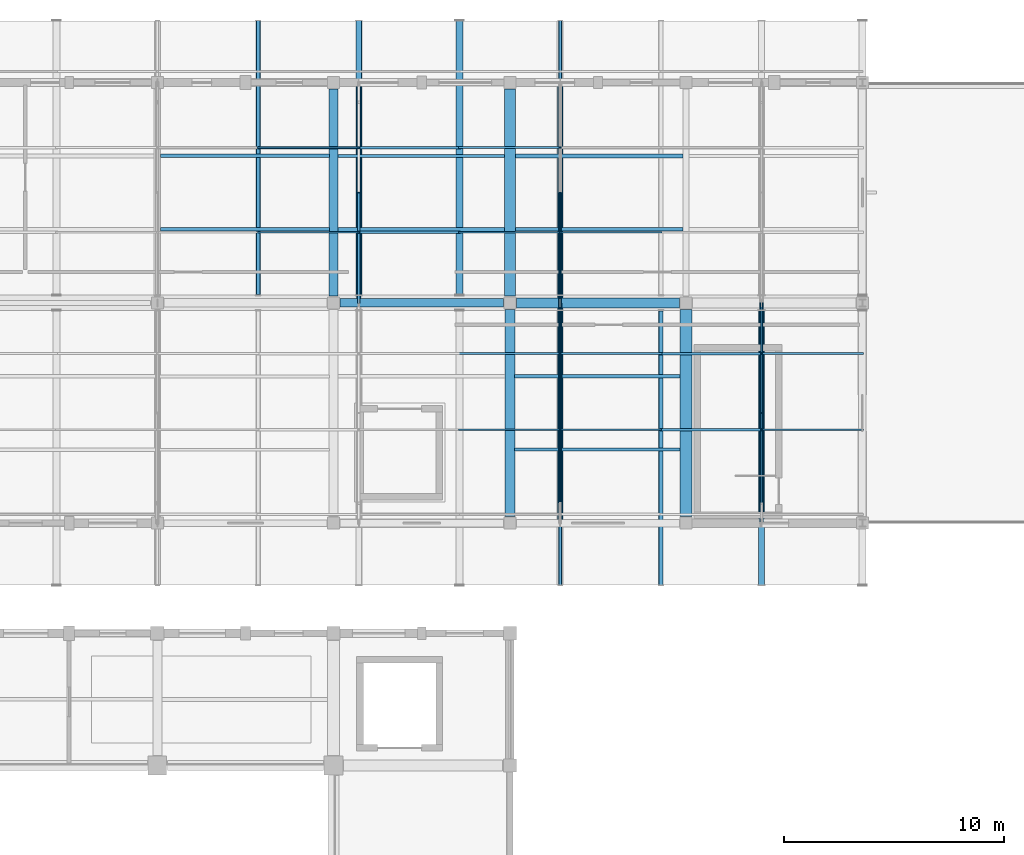
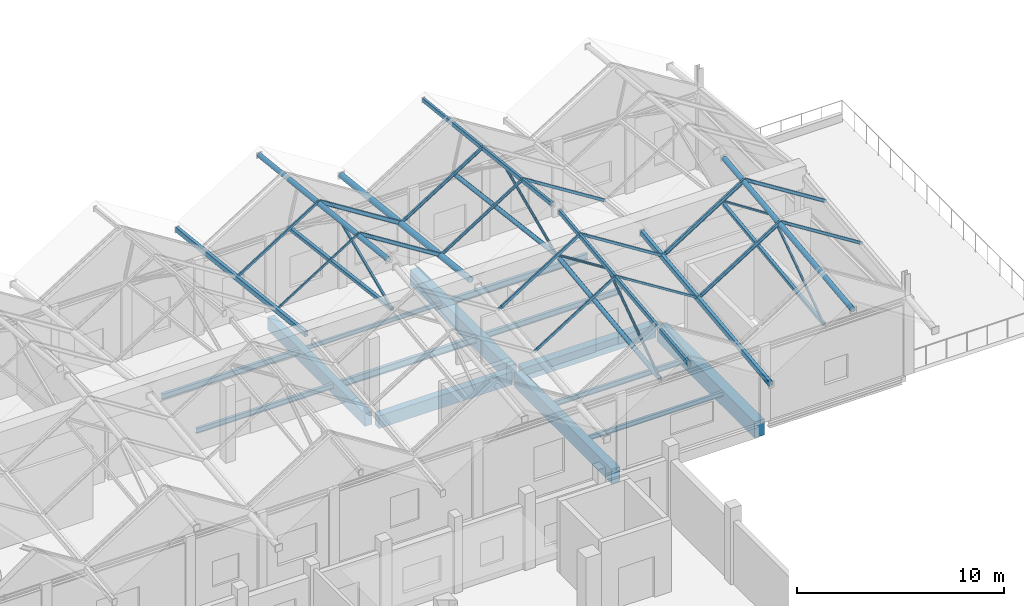
# One storey, part 66 of 183: 25 members, 21 beams.
"""IFC4 building model written with IfcOpenShell, lengths in metres."""

from ifc_helpers import new_model, si_unit, direction, frame, origin, origin_2d, place, context, subcontext, project, spatial, rectangle, hollow_rectangle, hollow_circle, i_section, extrude, material, material_profile, profile_set, type_object, element, save


model = new_model("IFC4")

# Units and contexts
model_context = context("Model", 3, precision=1e-05, world=origin(), true_north=direction((0.0, 1.0)))
body_context = subcontext(model_context, "Body", "Model", "MODEL_VIEW")
ifc_project = project(units=[si_unit("LENGTHUNIT", "METRE"), si_unit("AREAUNIT", "SQUARE_METRE"), si_unit("VOLUMEUNIT", "CUBIC_METRE"), si_unit("PLANEANGLEUNIT", "RADIAN"), si_unit("MASSUNIT", "GRAM", prefix="KILO")], contexts=[model_context])

# Site, building, storey
site_placement = place(None, origin())
site = spatial("IfcSite", under=ifc_project, at=site_placement, CompositionType="ELEMENT")
building_placement = place(site_placement, origin())
building = spatial("IfcBuilding", under=site, at=building_placement, Name="Luwemba Playhouse", CompositionType="ELEMENT")
storey_placement = place(building_placement, frame((0.0, 0.0, 4.800048828125)))
storey = spatial("IfcBuildingStorey", under=building, at=storey_placement, Name="L01", CompositionType="ELEMENT", Elevation=4.800048828125)

# Beams
ifc_material_1 = material(Name="Concrete C40/50", Category="concrete")
ifc_material_profile_1 = material_profile(ifc_material_1, rectangle(XDim=0.39990234375, YDim=0.75, at=origin_2d()))
ifc_profile_set_1 = profile_set([ifc_material_profile_1], Name="Concrete C40/50")
beam_type_1 = type_object("IfcBeamType", Name="BM-RB03", PredefinedType="BEAM", material=ifc_profile_set_1)
beam_1_placement = place(storey_placement, frame((44.300048828125, 105.0, -0.625), z_axis=(1.0, 0.0, 0.0), x_axis=(0.0, 1.0, 0.0)))
element("IfcBeam", 1, at=beam_1_placement, inside=storey, type_object=beam_type_1, Name="L01 grid girder 0575", PredefinedType="BEAM", context=body_context, shape_type="SweptSolid", body=[
    extrude(rectangle(XDim=0.39990234375, YDim=0.75, at=origin_2d()), origin(), (0.0, 0.0, 1.0), 7.39990234375),
])
beam_2_placement = place(storey_placement, frame((44.0, 105.300048828125, -0.625), z_axis=(0.0, 1.0, 0.0), x_axis=(-1.0, 0.0, 0.0)))
element("IfcBeam", 2, at=beam_2_placement, inside=storey, type_object=beam_type_1, Name="L01 transverse girder 0595", PredefinedType="BEAM", context=body_context, shape_type="SweptSolid", body=[
    extrude(rectangle(XDim=0.39990234375, YDim=0.75, at=origin_2d()), origin(), (0.0, 0.0, 1.0), 9.39990234375),
])
ifc_material_profile_2 = material_profile(ifc_material_1, rectangle(XDim=0.449951171875, YDim=0.75, at=origin_2d()))
ifc_profile_set_2 = profile_set([ifc_material_profile_2], Name="Concrete C40/50")
beam_type_2 = type_object("IfcBeamType", Name="BM-RB04", PredefinedType="BEAM", material=ifc_profile_set_2)
beam_3_placement = place(storey_placement, frame((52.300048828125, 105.0, -0.625), z_axis=(1.0, 0.0, 0.0), x_axis=(0.0, 1.0, 0.0)))
element("IfcBeam", 3, at=beam_3_placement, inside=storey, type_object=beam_type_2, Name="L01 grid girder 0576", PredefinedType="BEAM", context=body_context, shape_type="SweptSolid", body=[
    extrude(rectangle(XDim=0.449951171875, YDim=0.75, at=origin_2d()), origin(), (0.0, 0.0, 1.0), 7.39990234375),
])
ifc_material_profile_3 = material_profile(ifc_material_1, rectangle(XDim=0.449951171875, YDim=0.85009765625, at=origin_2d()))
ifc_profile_set_3 = profile_set([ifc_material_profile_3], Name="Concrete C40/50")
beam_type_3 = type_object("IfcBeamType", Name="BM-RB05", PredefinedType="BEAM", material=ifc_profile_set_3)
beam_4_placement = place(storey_placement, frame((52.0, 95.300048828125, -0.675048828125), z_axis=(0.0, 1.0, 0.0), x_axis=(-1.0, 0.0, 0.0)))
element("IfcBeam", 4, at=beam_4_placement, inside=storey, type_object=beam_type_3, Name="L01 transverse girder 0596", PredefinedType="BEAM", context=body_context, shape_type="SweptSolid", body=[
    extrude(rectangle(XDim=0.449951171875, YDim=0.85009765625, at=origin_2d()), origin(), (0.0, 0.0, 1.0), 9.39990234375),
])
ifc_material_profile_4 = material_profile(ifc_material_1, rectangle(XDim=0.5, YDim=0.89990234375, at=origin_2d()))
ifc_profile_set_4 = profile_set([ifc_material_profile_4], Name="Concrete C40/50")
beam_type_4 = type_object("IfcBeamType", Name="BM-RB07", PredefinedType="BEAM", material=ifc_profile_set_4)
beam_5_placement = place(storey_placement, frame((52.0, 105.300048828125, -0.699951171875), z_axis=(0.0, 1.0, 0.0), x_axis=(-1.0, 0.0, 0.0)))
element("IfcBeam", 5, at=beam_5_placement, inside=storey, type_object=beam_type_4, Name="L01 transverse girder 0597", PredefinedType="BEAM", context=body_context, shape_type="SweptSolid", body=[
    extrude(rectangle(XDim=0.5, YDim=0.89990234375, at=origin_2d()), origin(), (0.0, 0.0, 1.0), 9.39990234375),
])
ifc_material_profile_5 = material_profile(ifc_material_1, rectangle(XDim=0.550048828125, YDim=0.949951171875, at=origin_2d()))
ifc_profile_set_5 = profile_set([ifc_material_profile_5], Name="Concrete C40/50")
beam_type_5 = type_object("IfcBeamType", Name="BM-RB08", PredefinedType="BEAM", material=ifc_profile_set_5)
beam_6_placement = place(storey_placement, frame((60.0, 95.300048828125, -0.72509765625), z_axis=(0.0, 1.0, 0.0), x_axis=(-1.0, 0.0, 0.0)))
element("IfcBeam", 6, at=beam_6_placement, inside=storey, type_object=beam_type_5, Name="L01 transverse girder 0598", PredefinedType="BEAM", context=body_context, shape_type="SweptSolid", body=[
    extrude(rectangle(XDim=0.550048828125, YDim=0.949951171875, at=origin_2d()), origin(), (0.0, 0.0, 1.0), 9.39990234375),
])
ifc_material_2 = material(Name="Steel S355", Category="steel")
ifc_material_profile_6 = material_profile(ifc_material_2, hollow_rectangle(XDim=0.14990234375, YDim=0.25, WallThickness=0.010009765625, InnerFilletRadius=0.014892578125, OuterFilletRadius=0.02490234375, at=origin_2d()))
ifc_profile_set_6 = profile_set([ifc_material_profile_6], Name="Steel S355")
beam_type_6 = type_object("IfcBeamType", Name="BM-RTG1", PredefinedType="USERDEFINED", material=ifc_profile_set_6)
for number, where, z_axis, x_axis, name in (
    (7, (54.28564453125, 92.199951171875, 6.983154296875), (0.0, 0.993767931543, 0.111468821814), (-1.0, 0.0, 0.0), "ROOF TRUSS ridge girder 0387"),
    (8, (54.28564453125, 105.35009765625, 8.379638671875), (0.0, 0.993767931543, -0.111468821814), (-1.0, 0.0, 0.0), "ROOF TRUSS ridge girder 0388"),
):
    element("IfcBeam", number, at=place(storey_placement, frame(where, z_axis=z_axis, x_axis=x_axis)), inside=storey, type_object=beam_type_6, Name=name, ObjectType="ROOF TRUSS", PredefinedType="USERDEFINED", context=body_context, shape_type="SweptSolid", body=[
        extrude(hollow_rectangle(XDim=0.14990234375, YDim=0.25, WallThickness=0.010009765625, InnerFilletRadius=0.014892578125, OuterFilletRadius=0.02490234375, at=origin_2d()), origin(), (0.0, 0.0, 1.0), 12.528076171875),
    ])
ifc_material_profile_7 = material_profile(ifc_material_2, hollow_rectangle(XDim=0.199951171875, YDim=0.300048828125, WallThickness=0.012451171875, InnerFilletRadius=0.018798828125, OuterFilletRadius=0.03125, at=origin_2d()))
ifc_profile_set_7 = profile_set([ifc_material_profile_7], Name="Steel S355")
beam_type_7 = type_object("IfcBeamType", Name="BM-RTG2", PredefinedType="USERDEFINED", material=ifc_profile_set_7)
for number, where, z_axis, x_axis, name in (
    (9, (40.5712890625, 105.35009765625, 5.55859375), (0.0, 0.993767931543, -0.111468821814), (-1.0, 0.0, 0.0), "ROOF TRUSS valley girder 0382"),
    (10, (58.857177734375, 92.199951171875, 4.162109375), (0.0, 0.993767931543, 0.111468821814), (-1.0, 0.0, 0.0), "ROOF TRUSS valley girder 0389"),
):
    element("IfcBeam", number, at=place(storey_placement, frame(where, z_axis=z_axis, x_axis=x_axis)), inside=storey, type_object=beam_type_7, Name=name, ObjectType="ROOF TRUSS", PredefinedType="USERDEFINED", context=body_context, shape_type="SweptSolid", body=[
        extrude(hollow_rectangle(XDim=0.199951171875, YDim=0.300048828125, WallThickness=0.012451171875, InnerFilletRadius=0.018798828125, OuterFilletRadius=0.03125, at=origin_2d()), origin(), (0.0, 0.0, 1.0), 12.528076171875),
    ])
ifc_material_profile_8 = material_profile(ifc_material_2, hollow_circle(Radius=0.136474609375, WallThickness=0.012451171875, at=origin_2d()))
ifc_profile_set_8 = profile_set([ifc_material_profile_8], Name="Steel S355")
beam_type_8 = type_object("IfcBeamType", Name="BM-RTG3", PredefinedType="USERDEFINED", material=ifc_profile_set_8)
for number, where, z_axis, x_axis, name in (
    (11, (45.142822265625, 105.35009765625, 8.329345703125), (0.0, 0.993767931543, -0.111468821814), (-1.0, 0.0, 0.0), "ROOF TRUSS ridge girder 0384"),
    (12, (63.4287109375, 92.199951171875, 6.932861328125), (0.0, 0.993767931543, 0.111468821814), (-1.0, 0.0, 0.0), "ROOF TRUSS ridge girder 0391"),
):
    element("IfcBeam", number, at=place(storey_placement, frame(where, z_axis=z_axis, x_axis=x_axis)), inside=storey, type_object=beam_type_8, Name=name, ObjectType="ROOF TRUSS", PredefinedType="USERDEFINED", context=body_context, shape_type="SweptSolid", body=[
        extrude(hollow_circle(Radius=0.136474609375, WallThickness=0.012451171875, at=origin_2d()), origin(), (0.0, 0.0, 1.0), 12.528076171875),
    ])
ifc_material_profile_9 = material_profile(ifc_material_2, hollow_circle(Radius=0.161865234375, WallThickness=0.01611328125, at=origin_2d()))
ifc_profile_set_9 = profile_set([ifc_material_profile_9], Name="Steel S355")
beam_type_9 = type_object("IfcBeamType", Name="BM-RTG4", PredefinedType="USERDEFINED", material=ifc_profile_set_9)
beam_7_placement = place(storey_placement, frame((49.71435546875, 105.35009765625, 5.546630859375), z_axis=(0.0, 0.993767931543, -0.111468821814), x_axis=(-1.0, 0.0, 0.0)))
element("IfcBeam", 13, at=beam_7_placement, inside=storey, type_object=beam_type_9, Name="ROOF TRUSS valley girder 0386", ObjectType="ROOF TRUSS", PredefinedType="USERDEFINED", context=body_context, shape_type="SweptSolid", body=[
    extrude(hollow_circle(Radius=0.161865234375, WallThickness=0.01611328125, at=origin_2d()), origin(), (0.0, 0.0, 1.0), 12.528076171875),
])
ifc_material_profile_10 = material_profile(ifc_material_2, i_section(OverallWidth=0.1201171875, OverallDepth=0.239990234375, WebThickness=0.006103515625, FlangeThickness=0.009765625, FilletRadius=0.014892578125, at=origin_2d()))
ifc_profile_set_10 = profile_set([ifc_material_profile_10], Name="Steel S355")
beam_type_10 = type_object("IfcBeamType", Name="BM-SJ03", PredefinedType="JOIST", material=ifc_profile_set_10)
beam_8_placement = place(storey_placement, frame((44.196044921875, 111.666748046875, -0.3701171875), z_axis=(1.0, 0.0, 0.0), x_axis=(0.0, 1.0, 0.0)))
element("IfcBeam", 14, at=beam_8_placement, inside=storey, type_object=beam_type_10, Name="L01 composite floor joist 0358", PredefinedType="JOIST", context=body_context, shape_type="SweptSolid", body=[
    extrude(i_section(OverallWidth=0.1201171875, OverallDepth=0.239990234375, WebThickness=0.006103515625, FlangeThickness=0.009765625, FilletRadius=0.014892578125, at=origin_2d()), origin(), (0.0, 0.0, 1.0), 7.557861328125),
])
ifc_material_profile_11 = material_profile(ifc_material_2, i_section(OverallWidth=0.135009765625, OverallDepth=0.27001953125, WebThickness=0.006591796875, FlangeThickness=0.01025390625, FilletRadius=0.014892578125, at=origin_2d()))
ifc_profile_set_11 = profile_set([ifc_material_profile_11], Name="Steel S355")
beam_type_11 = type_object("IfcBeamType", Name="BM-SJ04", PredefinedType="JOIST", material=ifc_profile_set_11)
beam_9_placement = place(storey_placement, frame((52.220947265625, 98.333251953125, -0.385009765625), z_axis=(1.0, 0.0, 0.0), x_axis=(0.0, 1.0, 0.0)))
element("IfcBeam", 15, at=beam_9_placement, inside=storey, type_object=beam_type_11, Name="L01 composite floor joist 0359", PredefinedType="JOIST", context=body_context, shape_type="SweptSolid", body=[
    extrude(i_section(OverallWidth=0.135009765625, OverallDepth=0.27001953125, WebThickness=0.006591796875, FlangeThickness=0.01025390625, FilletRadius=0.014892578125, at=origin_2d()), origin(), (0.0, 0.0, 1.0), 7.508056640625),
])
ifc_material_profile_12 = material_profile(ifc_material_2, i_section(OverallWidth=0.14990234375, OverallDepth=0.300048828125, WebThickness=0.007080078125, FlangeThickness=0.0107421875, FilletRadius=0.014892578125, at=origin_2d()))
ifc_profile_set_12 = profile_set([ifc_material_profile_12], Name="Steel S355")
beam_type_12 = type_object("IfcBeamType", Name="BM-SJ05", PredefinedType="JOIST", material=ifc_profile_set_12)
beam_10_placement = place(storey_placement, frame((36.14599609375, 108.333251953125, -0.400146484375), z_axis=(1.0, 0.0, 0.0), x_axis=(0.0, 1.0, 0.0)))
element("IfcBeam", 16, at=beam_10_placement, inside=storey, type_object=beam_type_12, Name="L01 composite floor joist 0354", PredefinedType="JOIST", context=body_context, shape_type="SweptSolid", body=[
    extrude(i_section(OverallWidth=0.14990234375, OverallDepth=0.300048828125, WebThickness=0.007080078125, FlangeThickness=0.0107421875, FilletRadius=0.014892578125, at=origin_2d()), origin(), (0.0, 0.0, 1.0), 7.657958984375),
])
beam_11_placement = place(storey_placement, frame((52.220947265625, 101.666748046875, -0.400146484375), z_axis=(1.0, 0.0, 0.0), x_axis=(0.0, 1.0, 0.0)))
element("IfcBeam", 17, at=beam_11_placement, inside=storey, type_object=beam_type_12, Name="L01 composite floor joist 0360", PredefinedType="JOIST", context=body_context, shape_type="SweptSolid", body=[
    extrude(i_section(OverallWidth=0.14990234375, OverallDepth=0.300048828125, WebThickness=0.007080078125, FlangeThickness=0.0107421875, FilletRadius=0.014892578125, at=origin_2d()), origin(), (0.0, 0.0, 1.0), 7.508056640625),
])
ifc_material_profile_13 = material_profile(ifc_material_2, i_section(OverallWidth=0.159912109375, OverallDepth=0.330078125, WebThickness=0.007568359375, FlangeThickness=0.011474609375, FilletRadius=0.01806640625, at=origin_2d()))
ifc_profile_set_13 = profile_set([ifc_material_profile_13], Name="Steel S355")
beam_type_13 = type_object("IfcBeamType", Name="BM-SJ06", PredefinedType="JOIST", material=ifc_profile_set_13)
beam_12_placement = place(storey_placement, frame((36.14599609375, 111.666748046875, -0.4150390625), z_axis=(1.0, 0.0, 0.0), x_axis=(0.0, 1.0, 0.0)))
element("IfcBeam", 18, at=beam_12_placement, inside=storey, type_object=beam_type_13, Name="L01 composite floor joist 0355", PredefinedType="JOIST", context=body_context, shape_type="SweptSolid", body=[
    extrude(i_section(OverallWidth=0.159912109375, OverallDepth=0.330078125, WebThickness=0.007568359375, FlangeThickness=0.011474609375, FilletRadius=0.01806640625, at=origin_2d()), origin(), (0.0, 0.0, 1.0), 7.657958984375),
])
beam_13_placement = place(storey_placement, frame((52.24609375, 108.333251953125, -0.4150390625), z_axis=(1.0, 0.0, 0.0), x_axis=(0.0, 1.0, 0.0)))
element("IfcBeam", 19, at=beam_13_placement, inside=storey, type_object=beam_type_13, Name="L01 composite floor joist 0361", PredefinedType="JOIST", context=body_context, shape_type="SweptSolid", body=[
    extrude(i_section(OverallWidth=0.159912109375, OverallDepth=0.330078125, WebThickness=0.007568359375, FlangeThickness=0.011474609375, FilletRadius=0.01806640625, at=origin_2d()), origin(), (0.0, 0.0, 1.0), 7.617919921875),
])
ifc_material_profile_14 = material_profile(ifc_material_2, i_section(OverallWidth=0.169921875, OverallDepth=0.360107421875, WebThickness=0.008056640625, FlangeThickness=0.0126953125, FilletRadius=0.01806640625, at=origin_2d()))
ifc_profile_set_14 = profile_set([ifc_material_profile_14], Name="Steel S355")
beam_type_14 = type_object("IfcBeamType", Name="BM-SJ07", PredefinedType="JOIST", material=ifc_profile_set_14)
beam_14_placement = place(storey_placement, frame((52.24609375, 111.666748046875, -0.429931640625), z_axis=(1.0, 0.0, 0.0), x_axis=(0.0, 1.0, 0.0)))
element("IfcBeam", 20, at=beam_14_placement, inside=storey, type_object=beam_type_14, Name="L01 composite floor joist 0362", PredefinedType="JOIST", context=body_context, shape_type="SweptSolid", body=[
    extrude(i_section(OverallWidth=0.169921875, OverallDepth=0.360107421875, WebThickness=0.008056640625, FlangeThickness=0.0126953125, FilletRadius=0.01806640625, at=origin_2d()), origin(), (0.0, 0.0, 1.0), 7.617919921875),
])
ifc_material_profile_15 = material_profile(ifc_material_2, i_section(OverallWidth=0.179931640625, OverallDepth=0.39990234375, WebThickness=0.008544921875, FlangeThickness=0.013427734375, FilletRadius=0.02099609375, at=origin_2d()))
ifc_profile_set_15 = profile_set([ifc_material_profile_15], Name="Steel S355")
beam_type_15 = type_object("IfcBeamType", Name="BM-SJ08", PredefinedType="JOIST", material=ifc_profile_set_15)
beam_15_placement = place(storey_placement, frame((44.196044921875, 108.333251953125, -0.449951171875), z_axis=(1.0, 0.0, 0.0), x_axis=(0.0, 1.0, 0.0)))
element("IfcBeam", 21, at=beam_15_placement, inside=storey, type_object=beam_type_15, Name="L01 composite floor joist 0357", PredefinedType="JOIST", context=body_context, shape_type="SweptSolid", body=[
    extrude(i_section(OverallWidth=0.179931640625, OverallDepth=0.39990234375, WebThickness=0.008544921875, FlangeThickness=0.013427734375, FilletRadius=0.02099609375, at=origin_2d()), origin(), (0.0, 0.0, 1.0), 7.557861328125),
])

# Members
ifc_material_profile_16 = material_profile(ifc_material_2, hollow_circle(Radius=0.06982421875, WallThickness=0.008056640625, at=origin_2d()))
ifc_profile_set_16 = profile_set([ifc_material_profile_16], Name="Steel S355")
member_type_1 = type_object("IfcMemberType", Name="MEM-MB01", PredefinedType="BRACE", material=ifc_profile_set_16)
member_1_placement = place(storey_placement, frame((54.28564453125, 95.0, 4.39990234375), z_axis=(0.0, 0.822445108681, 0.568844480686), x_axis=(-1.0, 0.0, 0.0)))
element("IfcMember", 22, at=member_1_placement, inside=storey, type_object=member_type_1, Name="ROOF TRUSS web diagonal 0339", PredefinedType="BRACE", context=body_context, shape_type="SweptSolid", body=[
    extrude(hollow_circle(Radius=0.06982421875, WallThickness=0.008056640625, at=origin_2d()), origin(), (0.0, 0.0, 1.0), 6.079345703125),
])
for number, where, z_axis, x_axis, name in (
    (23, (54.28564453125, 105.0, 5.6416015625), (0.0, -0.914195857818, 0.40527266568), (1.0, 0.0, 0.0), "ROOF TRUSS web diagonal 0340"),
    (24, (54.28564453125, 105.0, 5.6416015625), (0.0, 0.914195857818, 0.40527266568), (-1.0, 0.0, 0.0), "ROOF TRUSS web diagonal 0341"),
):
    element("IfcMember", number, at=place(storey_placement, frame(where, z_axis=z_axis, x_axis=x_axis)), inside=storey, type_object=member_type_1, Name=name, PredefinedType="BRACE", context=body_context, shape_type="SweptSolid", body=[
        extrude(hollow_circle(Radius=0.06982421875, WallThickness=0.008056640625, at=origin_2d()), origin(), (0.0, 0.0, 1.0), 5.46923828125),
    ])
ifc_material_profile_17 = material_profile(ifc_material_2, hollow_rectangle(XDim=0.10009765625, YDim=0.10009765625, WallThickness=0.00634765625, InnerFilletRadius=0.009521484375, OuterFilletRadius=0.015869140625, at=origin_2d()))
ifc_profile_set_17 = profile_set([ifc_material_profile_17], Name="Steel S355")
member_type_2 = type_object("IfcMemberType", Name="MEM-MB05", PredefinedType="BRACE", material=ifc_profile_set_17)
member_2_placement = place(storey_placement, frame((63.4287109375, 95.0, 4.39990234375), z_axis=(0.0, 0.826314401339, 0.563209117593), x_axis=(-1.0, 0.0, 0.0)))
element("IfcMember", 25, at=member_2_placement, inside=storey, type_object=member_type_2, Name="ROOF TRUSS web diagonal 0345", PredefinedType="BRACE", context=body_context, shape_type="SweptSolid", body=[
    extrude(hollow_rectangle(XDim=0.10009765625, YDim=0.10009765625, WallThickness=0.00634765625, InnerFilletRadius=0.009521484375, OuterFilletRadius=0.015869140625, at=origin_2d()), origin(), (0.0, 0.0, 1.0), 6.051025390625),
])
member_3_placement = place(storey_placement, frame((63.4287109375, 105.0, 5.6416015625), z_axis=(0.0, -0.917582865909, 0.397544568809), x_axis=(1.0, 0.0, 0.0)))
element("IfcMember", 26, at=member_3_placement, inside=storey, type_object=member_type_2, Name="ROOF TRUSS web diagonal 0346", PredefinedType="BRACE", context=body_context, shape_type="SweptSolid", body=[
    extrude(hollow_rectangle(XDim=0.10009765625, YDim=0.10009765625, WallThickness=0.00634765625, InnerFilletRadius=0.009521484375, OuterFilletRadius=0.015869140625, at=origin_2d()), origin(), (0.0, 0.0, 1.0), 5.44921875),
])
ifc_material_profile_18 = material_profile(ifc_material_2, hollow_rectangle(XDim=0.1201171875, YDim=0.1201171875, WallThickness=0.008056640625, InnerFilletRadius=0.011962890625, OuterFilletRadius=0.02001953125, at=origin_2d()))
ifc_profile_set_18 = profile_set([ifc_material_profile_18], Name="Steel S355")
member_type_3 = type_object("IfcMemberType", Name="MEM-MB06", PredefinedType="BRACE", material=ifc_profile_set_18)
member_4_placement = place(storey_placement, frame((45.142822265625, 105.0, 5.6416015625), z_axis=(0.0, 0.917582865909, 0.397544568809), x_axis=(-1.0, 0.0, 0.0)))
element("IfcMember", 27, at=member_4_placement, inside=storey, type_object=member_type_3, Name="ROOF TRUSS web diagonal 0335", PredefinedType="BRACE", context=body_context, shape_type="SweptSolid", body=[
    extrude(hollow_rectangle(XDim=0.1201171875, YDim=0.1201171875, WallThickness=0.008056640625, InnerFilletRadius=0.011962890625, OuterFilletRadius=0.02001953125, at=origin_2d()), origin(), (0.0, 0.0, 1.0), 5.44921875),
])
ifc_material_profile_19 = material_profile(ifc_material_2, hollow_circle(Radius=0.122314453125, WallThickness=0.012451171875, at=origin_2d()))
ifc_profile_set_19 = profile_set([ifc_material_profile_19], Name="Steel S355")
member_type_4 = type_object("IfcMemberType", Name="MEM-MC01", PredefinedType="CHORD", material=ifc_profile_set_19)
for number, where, z_axis, x_axis, name in (
    (28, (54.28564453125, 95.0, 4.39990234375), (0.0, 0.992378930096, 0.12322361422), (-1.0, 0.0, 0.0), "ROOF TRUSS south bottom chord 0337"),
    (29, (54.28564453125, 105.0, 5.6416015625), (0.0, 0.992378930096, -0.12322361422), (-1.0, 0.0, 0.0), "ROOF TRUSS north bottom chord 0338"),
):
    element("IfcMember", number, at=place(storey_placement, frame(where, z_axis=z_axis, x_axis=x_axis)), inside=storey, type_object=member_type_4, Name=name, PredefinedType="CHORD", context=body_context, shape_type="SweptSolid", body=[
        extrude(hollow_circle(Radius=0.122314453125, WallThickness=0.012451171875, at=origin_2d()), origin(), (0.0, 0.0, 1.0), 10.076904296875),
    ])
ifc_material_profile_20 = material_profile(ifc_material_2, hollow_rectangle(XDim=0.179931640625, YDim=0.179931640625, WallThickness=0.010009765625, InnerFilletRadius=0.014892578125, OuterFilletRadius=0.02490234375, at=origin_2d()))
ifc_profile_set_20 = profile_set([ifc_material_profile_20], Name="Steel S355")
member_type_5 = type_object("IfcMemberType", Name="MEM-MC03", PredefinedType="CHORD", material=ifc_profile_set_20)
member_5_placement = place(storey_placement, frame((63.4287109375, 95.0, 4.39990234375), z_axis=(0.0, 0.992378930096, 0.12322361422), x_axis=(-1.0, 0.0, 0.0)))
element("IfcMember", 30, at=member_5_placement, inside=storey, type_object=member_type_5, Name="ROOF TRUSS south bottom chord 0343", PredefinedType="CHORD", context=body_context, shape_type="SweptSolid", body=[
    extrude(hollow_rectangle(XDim=0.179931640625, YDim=0.179931640625, WallThickness=0.010009765625, InnerFilletRadius=0.014892578125, OuterFilletRadius=0.02490234375, at=origin_2d()), origin(), (0.0, 0.0, 1.0), 10.076904296875),
])
ifc_material_profile_21 = material_profile(ifc_material_2, hollow_rectangle(XDim=0.199951171875, YDim=0.199951171875, WallThickness=0.012451171875, InnerFilletRadius=0.018798828125, OuterFilletRadius=0.03125, at=origin_2d()))
ifc_profile_set_21 = profile_set([ifc_material_profile_21], Name="Steel S355")
member_type_6 = type_object("IfcMemberType", Name="MEM-MC04", PredefinedType="CHORD", material=ifc_profile_set_21)
member_6_placement = place(storey_placement, frame((45.142822265625, 105.0, 5.6416015625), z_axis=(0.0, 0.992378930096, -0.12322361422), x_axis=(-1.0, 0.0, 0.0)))
element("IfcMember", 31, at=member_6_placement, inside=storey, type_object=member_type_6, Name="ROOF TRUSS north bottom chord 0332", PredefinedType="CHORD", context=body_context, shape_type="SweptSolid", body=[
    extrude(hollow_rectangle(XDim=0.199951171875, YDim=0.199951171875, WallThickness=0.012451171875, InnerFilletRadius=0.018798828125, OuterFilletRadius=0.03125, at=origin_2d()), origin(), (0.0, 0.0, 1.0), 10.076904296875),
])
ifc_material_profile_22 = material_profile(ifc_material_2, hollow_rectangle(XDim=0.080078125, YDim=0.1201171875, WallThickness=0.00634765625, InnerFilletRadius=0.009521484375, OuterFilletRadius=0.015869140625, at=origin_2d()))
ifc_profile_set_22 = profile_set([ifc_material_profile_22], Name="Steel S355")
member_type_7 = type_object("IfcMemberType", Name="MEM-MP01", PredefinedType="PURLIN", material=ifc_profile_set_22)
member_7_placement = place(storey_placement, frame((40.5712890625, 108.199951171875, 5.28271484375), z_axis=(0.84622906663, 0.0, 0.532819262781), x_axis=(0.0, 1.0, 0.0)))
element("IfcMember", 32, at=member_7_placement, inside=storey, type_object=member_type_7, Name="Pleated roof purlin 0664", PredefinedType="PURLIN", context=body_context, shape_type="SweptSolid", body=[
    extrude(hollow_rectangle(XDim=0.080078125, YDim=0.1201171875, WallThickness=0.00634765625, InnerFilletRadius=0.009521484375, OuterFilletRadius=0.015869140625, at=origin_2d()), origin(), (0.0, 0.0, 1.0), 5.40234375),
])
member_8_placement = place(storey_placement, frame((54.28564453125, 99.239990234375, 7.873779296875), z_axis=(0.846249443207, 0.0, -0.532786899117), x_axis=(0.0, 1.0, 0.0)))
element("IfcMember", 33, at=member_8_placement, inside=storey, type_object=member_type_7, Name="Pleated roof purlin 0680", PredefinedType="PURLIN", context=body_context, shape_type="SweptSolid", body=[
    extrude(hollow_rectangle(XDim=0.080078125, YDim=0.1201171875, WallThickness=0.00634765625, InnerFilletRadius=0.009521484375, OuterFilletRadius=0.015869140625, at=origin_2d()), origin(), (0.0, 0.0, 1.0), 5.402099609375),
])
ifc_material_profile_23 = material_profile(ifc_material_2, hollow_rectangle(XDim=0.10009765625, YDim=0.14990234375, WallThickness=0.008056640625, InnerFilletRadius=0.011962890625, OuterFilletRadius=0.02001953125, at=origin_2d()))
ifc_profile_set_23 = profile_set([ifc_material_profile_23], Name="Steel S355")
member_type_8 = type_object("IfcMemberType", Name="MEM-MP02", PredefinedType="PURLIN", material=ifc_profile_set_23)
member_9_placement = place(storey_placement, frame((40.5712890625, 112.0400390625, 4.85205078125), z_axis=(0.84622906663, 0.0, 0.532819262781), x_axis=(0.0, 1.0, 0.0)))
element("IfcMember", 34, at=member_9_placement, inside=storey, type_object=member_type_8, Name="Pleated roof purlin 0665", PredefinedType="PURLIN", context=body_context, shape_type="SweptSolid", body=[
    extrude(hollow_rectangle(XDim=0.10009765625, YDim=0.14990234375, WallThickness=0.008056640625, InnerFilletRadius=0.011962890625, OuterFilletRadius=0.02001953125, at=origin_2d()), origin(), (0.0, 0.0, 1.0), 5.40234375),
])
member_10_placement = place(storey_placement, frame((54.28564453125, 102.696044921875, 8.261474609375), z_axis=(0.846249443207, 0.0, -0.532786899117), x_axis=(0.0, 1.0, 0.0)))
element("IfcMember", 35, at=member_10_placement, inside=storey, type_object=member_type_8, Name="Pleated roof purlin 0681", PredefinedType="PURLIN", context=body_context, shape_type="SweptSolid", body=[
    extrude(hollow_rectangle(XDim=0.10009765625, YDim=0.14990234375, WallThickness=0.008056640625, InnerFilletRadius=0.011962890625, OuterFilletRadius=0.02001953125, at=origin_2d()), origin(), (0.0, 0.0, 1.0), 5.402099609375),
])
ifc_material_profile_24 = material_profile(ifc_material_2, hollow_rectangle(XDim=0.080078125, YDim=0.159912109375, WallThickness=0.00634765625, InnerFilletRadius=0.009521484375, OuterFilletRadius=0.015869140625, at=origin_2d()))
ifc_profile_set_24 = profile_set([ifc_material_profile_24], Name="Steel S355")
member_type_9 = type_object("IfcMemberType", Name="MEM-MP03", PredefinedType="PURLIN", material=ifc_profile_set_24)
member_11_placement = place(storey_placement, frame((49.71435546875, 99.239990234375, 4.99560546875), z_axis=(0.846236613742, 0.0, 0.532807276191), x_axis=(0.0, 1.0, 0.0)))
element("IfcMember", 36, at=member_11_placement, inside=storey, type_object=member_type_9, Name="Pleated roof purlin 0674", PredefinedType="PURLIN", context=body_context, shape_type="SweptSolid", body=[
    extrude(hollow_rectangle(XDim=0.080078125, YDim=0.159912109375, WallThickness=0.00634765625, InnerFilletRadius=0.009521484375, OuterFilletRadius=0.015869140625, at=origin_2d()), origin(), (0.0, 0.0, 1.0), 5.40185546875),
])
member_12_placement = place(storey_placement, frame((54.28564453125, 108.199951171875, 8.1611328125), z_axis=(0.84622906663, 0.0, -0.532819262781), x_axis=(0.0, 1.0, 0.0)))
element("IfcMember", 37, at=member_12_placement, inside=storey, type_object=member_type_9, Name="Pleated roof purlin 0682", PredefinedType="PURLIN", context=body_context, shape_type="SweptSolid", body=[
    extrude(hollow_rectangle(XDim=0.080078125, YDim=0.159912109375, WallThickness=0.00634765625, InnerFilletRadius=0.009521484375, OuterFilletRadius=0.015869140625, at=origin_2d()), origin(), (0.0, 0.0, 1.0), 5.40234375),
])
ifc_material_profile_25 = material_profile(ifc_material_2, hollow_rectangle(XDim=0.10009765625, YDim=0.179931640625, WallThickness=0.008056640625, InnerFilletRadius=0.011962890625, OuterFilletRadius=0.02001953125, at=origin_2d()))
ifc_profile_set_25 = profile_set([ifc_material_profile_25], Name="Steel S355")
member_type_10 = type_object("IfcMemberType", Name="MEM-MP04", PredefinedType="PURLIN", material=ifc_profile_set_25)
member_13_placement = place(storey_placement, frame((49.71435546875, 102.696044921875, 5.373046875), z_axis=(0.846216235915, 0.0, 0.532839640111), x_axis=(0.0, 1.0, 0.0)))
element("IfcMember", 38, at=member_13_placement, inside=storey, type_object=member_type_10, Name="Pleated roof purlin 0675", PredefinedType="PURLIN", context=body_context, shape_type="SweptSolid", body=[
    extrude(hollow_rectangle(XDim=0.10009765625, YDim=0.179931640625, WallThickness=0.008056640625, InnerFilletRadius=0.011962890625, OuterFilletRadius=0.02001953125, at=origin_2d()), origin(), (0.0, 0.0, 1.0), 5.402099609375),
])
ifc_material_profile_26 = material_profile(ifc_material_2, i_section(OverallWidth=0.08203125, OverallDepth=0.159912109375, WebThickness=0.0048828125, FlangeThickness=0.00732421875, FilletRadius=0.009033203125, at=origin_2d()))
ifc_profile_set_26 = profile_set([ifc_material_profile_26], Name="Steel S355")
member_type_11 = type_object("IfcMemberType", Name="MEM-MP05", PredefinedType="PURLIN", material=ifc_profile_set_26)
member_14_placement = place(storey_placement, frame((49.71435546875, 108.199951171875, 5.28271484375), z_axis=(0.846216235915, 0.0, 0.532839640111), x_axis=(0.0, 1.0, 0.0)))
element("IfcMember", 39, at=member_14_placement, inside=storey, type_object=member_type_11, Name="Pleated roof purlin 0676", PredefinedType="PURLIN", context=body_context, shape_type="SweptSolid", body=[
    extrude(i_section(OverallWidth=0.08203125, OverallDepth=0.159912109375, WebThickness=0.0048828125, FlangeThickness=0.00732421875, FilletRadius=0.009033203125, at=origin_2d()), origin(), (0.0, 0.0, 1.0), 5.402099609375),
])
member_15_placement = place(storey_placement, frame((63.4287109375, 99.239990234375, 7.873779296875), z_axis=(0.846236613742, 0.0, -0.532807276191), x_axis=(0.0, 1.0, 0.0)))
element("IfcMember", 40, at=member_15_placement, inside=storey, type_object=member_type_11, Name="Pleated roof purlin 0692", PredefinedType="PURLIN", context=body_context, shape_type="SweptSolid", body=[
    extrude(i_section(OverallWidth=0.08203125, OverallDepth=0.159912109375, WebThickness=0.0048828125, FlangeThickness=0.00732421875, FilletRadius=0.009033203125, at=origin_2d()), origin(), (0.0, 0.0, 1.0), 5.40185546875),
])
ifc_material_profile_27 = material_profile(ifc_material_2, i_section(OverallWidth=0.091064453125, OverallDepth=0.179931640625, WebThickness=0.00537109375, FlangeThickness=0.008056640625, FilletRadius=0.009033203125, at=origin_2d()))
ifc_profile_set_27 = profile_set([ifc_material_profile_27], Name="Steel S355")
member_type_12 = type_object("IfcMemberType", Name="MEM-MP06", PredefinedType="PURLIN", material=ifc_profile_set_27)
member_16_placement = place(storey_placement, frame((49.71435546875, 112.0400390625, 4.8447265625), z_axis=(0.846236613742, 0.0, 0.532807276191), x_axis=(0.0, 1.0, 0.0)))
element("IfcMember", 41, at=member_16_placement, inside=storey, type_object=member_type_12, Name="Pleated roof purlin 0677", PredefinedType="PURLIN", context=body_context, shape_type="SweptSolid", body=[
    extrude(i_section(OverallWidth=0.091064453125, OverallDepth=0.179931640625, WebThickness=0.00537109375, FlangeThickness=0.008056640625, FilletRadius=0.009033203125, at=origin_2d()), origin(), (0.0, 0.0, 1.0), 5.40185546875),
])
member_17_placement = place(storey_placement, frame((63.4287109375, 102.696044921875, 8.254150390625), z_axis=(0.846216235915, 0.0, -0.532839640111), x_axis=(0.0, 1.0, 0.0)))
element("IfcMember", 42, at=member_17_placement, inside=storey, type_object=member_type_12, Name="Pleated roof purlin 0693", PredefinedType="PURLIN", context=body_context, shape_type="SweptSolid", body=[
    extrude(i_section(OverallWidth=0.091064453125, OverallDepth=0.179931640625, WebThickness=0.00537109375, FlangeThickness=0.008056640625, FilletRadius=0.009033203125, at=origin_2d()), origin(), (0.0, 0.0, 1.0), 5.402099609375),
])
ifc_material_profile_28 = material_profile(ifc_material_2, i_section(OverallWidth=0.10009765625, OverallDepth=0.199951171875, WebThickness=0.005615234375, FlangeThickness=0.008544921875, FilletRadius=0.011962890625, at=origin_2d()))
ifc_profile_set_28 = profile_set([ifc_material_profile_28], Name="Steel S355")
member_type_13 = type_object("IfcMemberType", Name="MEM-MP07", PredefinedType="PURLIN", material=ifc_profile_set_28)
for number, where, z_axis, x_axis, name in (
    (43, (45.142822265625, 108.199951171875, 8.140869140625), (0.84622906663, 0.0, -0.532819262781), (0.0, 1.0, 0.0), "Pleated roof purlin 0670"),
    (44, (58.857177734375, 99.239990234375, 4.975341796875), (0.84622906663, 0.0, 0.532819262781), (0.0, 1.0, 0.0), "Pleated roof purlin 0686"),
):
    element("IfcMember", number, at=place(storey_placement, frame(where, z_axis=z_axis, x_axis=x_axis)), inside=storey, type_object=member_type_13, Name=name, PredefinedType="PURLIN", context=body_context, shape_type="SweptSolid", body=[
        extrude(i_section(OverallWidth=0.10009765625, OverallDepth=0.199951171875, WebThickness=0.005615234375, FlangeThickness=0.008544921875, FilletRadius=0.011962890625, at=origin_2d()), origin(), (0.0, 0.0, 1.0), 5.40234375),
    ])
ifc_material_profile_29 = material_profile(ifc_material_2, i_section(OverallWidth=0.110107421875, OverallDepth=0.219970703125, WebThickness=0.005859375, FlangeThickness=0.00927734375, FilletRadius=0.011962890625, at=origin_2d()))
ifc_profile_set_29 = profile_set([ifc_material_profile_29], Name="Steel S355")
member_type_14 = type_object("IfcMemberType", Name="MEM-MP08", PredefinedType="PURLIN", material=ifc_profile_set_29)
for number, where, z_axis, x_axis, name in (
    (45, (45.142822265625, 112.0400390625, 7.697021484375), (0.84622906663, 0.0, -0.532819262781), (0.0, 1.0, 0.0), "Pleated roof purlin 0671"),
    (46, (58.857177734375, 102.696044921875, 5.349853515625), (0.84622906663, 0.0, 0.532819262781), (0.0, 1.0, 0.0), "Pleated roof purlin 0687"),
):
    element("IfcMember", number, at=place(storey_placement, frame(where, z_axis=z_axis, x_axis=x_axis)), inside=storey, type_object=member_type_14, Name=name, PredefinedType="PURLIN", context=body_context, shape_type="SweptSolid", body=[
        extrude(i_section(OverallWidth=0.110107421875, OverallDepth=0.219970703125, WebThickness=0.005859375, FlangeThickness=0.00927734375, FilletRadius=0.011962890625, at=origin_2d()), origin(), (0.0, 0.0, 1.0), 5.40234375),
    ])

save(model, "model.ifc")
